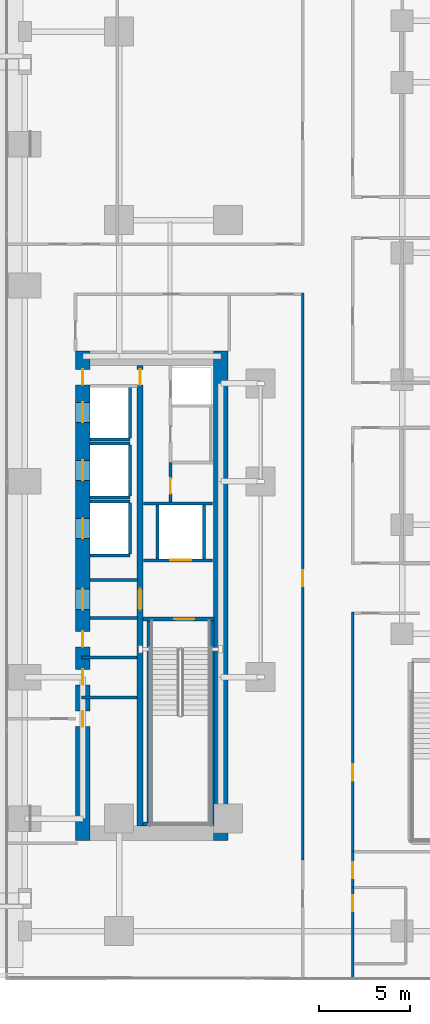
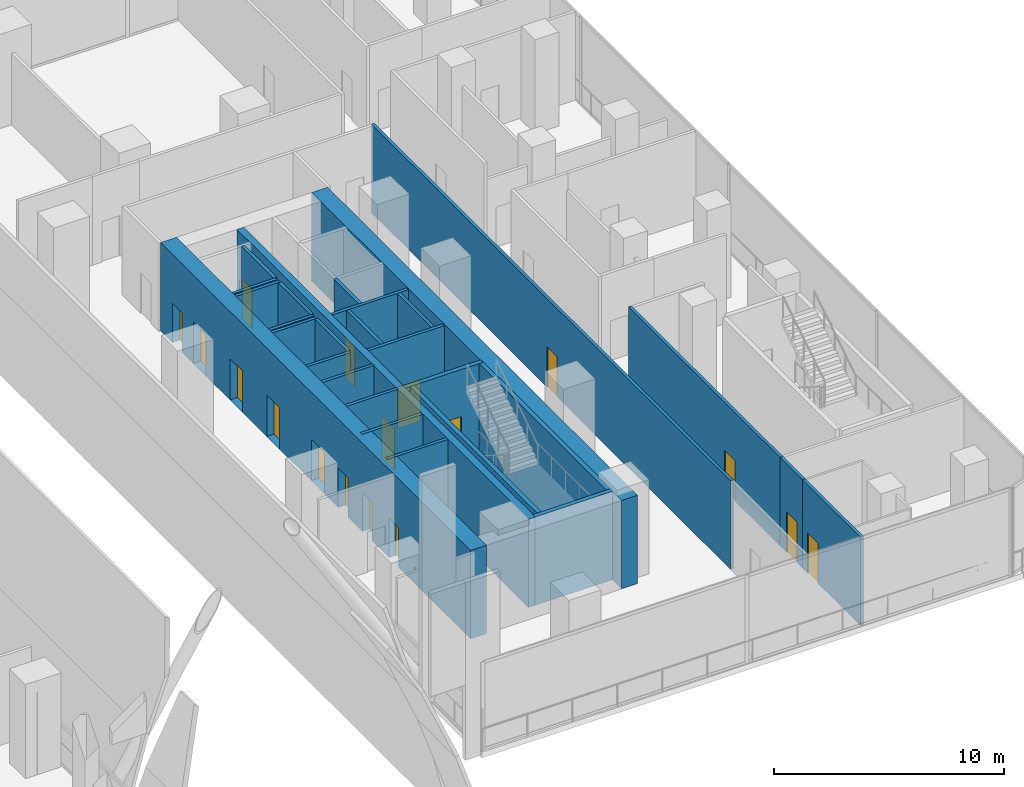
# One storey, part 8 of 31: 28 walls, 17 doors, 17 openings.
"""IFC4 building model written with IfcOpenShell, lengths in metres."""

from ifc_helpers import new_model, si_unit, direction, frame, frame_2d, origin, place, context, subcontext, project, spatial, rectangle, extrude, material, layer, layer_set, type_object, element, fill, save


model = new_model("IFC4")

# Units and contexts
model_context = context("Model", 3, precision=1e-05, world=origin(), true_north=direction((0.0, 1.0)))
body_context = subcontext(model_context, "Body", "Model", "MODEL_VIEW")
ifc_project = project(units=[si_unit("LENGTHUNIT", "METRE"), si_unit("AREAUNIT", "SQUARE_METRE"), si_unit("VOLUMEUNIT", "CUBIC_METRE"), si_unit("PLANEANGLEUNIT", "RADIAN"), si_unit("MASSUNIT", "GRAM", prefix="KILO")], contexts=[model_context])

# Site, building, storey
site_placement = place(None, origin())
site = spatial("IfcSite", under=ifc_project, at=site_placement, CompositionType="ELEMENT")
building_placement = place(site_placement, origin())
building = spatial("IfcBuilding", under=site, at=building_placement, Name="Khairoan Windgate Tower", CompositionType="ELEMENT")
storey_placement = place(building_placement, frame((0.0, 0.0, 6.0)))
storey = spatial("IfcBuildingStorey", under=building, at=storey_placement, Name="L02", CompositionType="ELEMENT", Elevation=6.0)

# Walls
ifc_material_1 = material(Name="Concrete C40/50", Category="concrete")
ifc_layer_1 = layer(ifc_material_1, 0.159912109375, Name="Concrete C40/50")
ifc_layer_set_1 = layer_set([ifc_layer_1], Name="Concrete C40/50")
wall_type_1 = type_object("IfcWallType", Name="Core and Hoistway Enclosure Wall", PredefinedType="STANDARD", material=ifc_layer_set_1)
wall_1_placement = place(storey_placement, frame((12.800048828125, 2.31005859375, 0.0), z_axis=(0.0, 0.0, 1.0), x_axis=(1.0, 0.0, 0.0)))
element("IfcWall", 1, at=wall_1_placement, inside=storey, type_object=wall_type_1, Name="L02 Lift PL7 Hoistway Divider S", PredefinedType="STANDARD", context=body_context, shape_type="SweptSolid", body=[
    extrude(rectangle(XDim=2.18994140625, YDim=0.159912109375, at=frame_2d((1.094970703125, 0.0))), origin(), (0.0, 0.0, 1.0), 4.699951171875),
])
wall_2_placement = place(storey_placement, frame((14.989990234375, 2.39990234375, 0.0), z_axis=(0.0, 0.0, 1.0), x_axis=(0.0, 1.0, 0.0)))
element("IfcWall", 2, at=wall_2_placement, inside=storey, type_object=wall_type_1, Name="L02 Lift PL7 Hoistway Back Wall", PredefinedType="STANDARD", context=body_context, shape_type="SweptSolid", body=[
    extrude(rectangle(XDim=2.800048828125, YDim=0.159912109375, at=frame_2d((1.39990234375, 0.0))), origin(), (0.0, 0.0, 1.0), 4.699951171875),
])
for number, where, z_axis, x_axis, name in (
    (3, (12.800048828125, -0.889892578125, 0.0), (0.0, 0.0, 1.0), (1.0, 0.0, 0.0), "L02 Lift PL8 Hoistway Divider S"),
    (4, (12.800048828125, 2.090087890625, 0.0), (0.0, 0.0, 1.0), (1.0, 0.0, 0.0), "L02 Lift PL8 Hoistway Divider N"),
):
    element("IfcWall", number, at=place(storey_placement, frame(where, z_axis=z_axis, x_axis=x_axis)), inside=storey, type_object=wall_type_1, Name=name, PredefinedType="STANDARD", context=body_context, shape_type="SweptSolid", body=[
        extrude(rectangle(XDim=2.18994140625, YDim=0.159912109375, at=frame_2d((1.094970703125, 0.0))), origin(), (0.0, 0.0, 1.0), 4.699951171875),
    ])
wall_3_placement = place(storey_placement, frame((14.989990234375, -0.800048828125, 0.0), z_axis=(0.0, 0.0, 1.0), x_axis=(0.0, 1.0, 0.0)))
element("IfcWall", 5, at=wall_3_placement, inside=storey, type_object=wall_type_1, Name="L02 Lift PL8 Hoistway Back Wall", PredefinedType="STANDARD", context=body_context, shape_type="SweptSolid", body=[
    extrude(rectangle(XDim=2.800048828125, YDim=0.159912109375, at=frame_2d((1.39990234375, 0.0))), origin(), (0.0, 0.0, 1.0), 4.699951171875),
])
for number, where, z_axis, x_axis, name in (
    (6, (12.800048828125, -4.090087890625, 0.0), (0.0, 0.0, 1.0), (1.0, 0.0, 0.0), "L02 Lift PL9 Hoistway Divider S"),
    (7, (12.800048828125, -1.110107421875, 0.0), (0.0, 0.0, 1.0), (1.0, 0.0, 0.0), "L02 Lift PL9 Hoistway Divider N"),
):
    element("IfcWall", number, at=place(storey_placement, frame(where, z_axis=z_axis, x_axis=x_axis)), inside=storey, type_object=wall_type_1, Name=name, PredefinedType="STANDARD", context=body_context, shape_type="SweptSolid", body=[
        extrude(rectangle(XDim=2.18994140625, YDim=0.159912109375, at=frame_2d((1.094970703125, 0.0))), origin(), (0.0, 0.0, 1.0), 4.699951171875),
    ])
wall_4_placement = place(storey_placement, frame((14.989990234375, -4.0, 0.0), z_axis=(0.0, 0.0, 1.0), x_axis=(0.0, 1.0, 0.0)))
element("IfcWall", 8, at=wall_4_placement, inside=storey, type_object=wall_type_1, Name="L02 Lift PL9 Hoistway Back Wall", PredefinedType="STANDARD", context=body_context, shape_type="SweptSolid", body=[
    extrude(rectangle(XDim=2.800048828125, YDim=0.159912109375, at=frame_2d((1.39990234375, 0.0))), origin(), (0.0, 0.0, 1.0), 4.699951171875),
])

# Wall, opening, door
wall_5_placement = place(storey_placement, frame((15.75, -4.360107421875, 0.0), z_axis=(0.0, 0.0, 1.0), x_axis=(1.0, 0.0, 0.0)))
wall_5 = element("IfcWall", 9, at=wall_5_placement, inside=storey, type_object=wall_type_1, Name="L02 Core Shaft Wall SW-FL1-L02", PredefinedType="STANDARD", context=body_context, shape_type="SweptSolid", body=[
    extrude(rectangle(XDim=3.800048828125, YDim=0.159912109375, at=frame_2d((1.89990234375, 0.0))), origin(), (0.0, 0.0, 1.0), 4.699951171875),
])
opening_1_placement = place(wall_5_placement, frame((1.469970703125, 0.0, 0.0)))
opening_1 = element("IfcOpeningElement", 10, at=opening_1_placement, cuts=wall_5, Name="Opening LD-FL", PredefinedType="OPENING", context=body_context, shape_type="SweptSolid", body=[
    extrude(rectangle(XDim=1.14990234375, YDim=2.199951171875, at=frame_2d((0.574951171875, 1.10009765625))), frame((0.0, 0.08984375, 0.0), z_axis=(0.0, -1.0, 0.0), x_axis=(1.0, 0.0, 0.0)), (0.0, 0.0, 1.0), 0.179931640625),
])
ifc_material_2 = material(Name="Steel S355", Category="steel")
door_type_1 = type_object("IfcDoorType", Name="Firefighting Lift Sliding Landing Door LD-FL 1150x2200", OperationType="DOUBLE_DOOR_SLIDING", PredefinedType="DOOR", material=ifc_material_2)
door_1_placement = place(opening_1_placement, origin())
door_1 = element("IfcDoor", 11, at=door_1_placement, inside=storey, type_object=door_type_1, Name="L02 Firefighting Lift FL1 Landing Door", OperationType="DOUBLE_DOOR_SLIDING", OverallHeight=2.199951171875, OverallWidth=1.14990234375, PredefinedType="DOOR", context=body_context, shape_type="SweptSolid", body=[
    extrude(rectangle(XDim=1.14990234375, YDim=2.199951171875, at=frame_2d((0.574951171875, 1.10009765625))), frame((0.0, 0.02490234375, 0.0), z_axis=(0.0, -1.0, 0.0), x_axis=(1.0, 0.0, 0.0)), (0.0, 0.0, 1.0), 0.050048828125),
])
fill(opening_1, door_1)

# Walls
wall_6_placement = place(storey_placement, frame((15.75, -1.219970703125, 0.0), z_axis=(0.0, 0.0, 1.0), x_axis=(1.0, 0.0, 0.0)))
element("IfcWall", 12, at=wall_6_placement, inside=storey, type_object=wall_type_1, Name="L02 Core Shaft Wall SW-FL1T-L02", PredefinedType="STANDARD", context=body_context, shape_type="SweptSolid", body=[
    extrude(rectangle(XDim=3.800048828125, YDim=0.159912109375, at=frame_2d((1.89990234375, 0.0))), origin(), (0.0, 0.0, 1.0), 4.699951171875),
])
for number, where, z_axis, x_axis, name in (
    (13, (16.52001953125, -4.280029296875, 0.0), (0.0, 0.0, 1.0), (0.0, 1.0, 0.0), "L02 Core Shaft Wall SW-FL1W-L02"),
    (14, (19.080078125, -4.280029296875, 0.0), (0.0, 0.0, 1.0), (0.0, 1.0, 0.0), "L02 Core Shaft Wall SW-FL1E-L02"),
):
    element("IfcWall", number, at=place(storey_placement, frame(where, z_axis=z_axis, x_axis=x_axis)), inside=storey, type_object=wall_type_1, Name=name, PredefinedType="STANDARD", context=body_context, shape_type="SweptSolid", body=[
        extrude(rectangle(XDim=2.97998046875, YDim=0.159912109375, at=frame_2d((1.489990234375, 0.0))), origin(), (0.0, 0.0, 1.0), 4.699951171875),
    ])
for number, where, z_axis, x_axis, name in (
    (15, (12.800048828125, -5.449951171875, 0.0), (0.0, 0.0, 1.0), (1.0, 0.0, 0.0), "L02 Core Shaft Wall SW-EV1-L02"),
    (16, (12.800048828125, -7.5400390625, 0.0), (0.0, 0.0, 1.0), (1.0, 0.0, 0.0), "L02 Core Shaft Wall SW-EV2-L02"),
):
    element("IfcWall", number, at=place(storey_placement, frame(where, z_axis=z_axis, x_axis=x_axis)), inside=storey, type_object=wall_type_1, Name=name, PredefinedType="STANDARD", context=body_context, shape_type="SweptSolid", body=[
        extrude(rectangle(XDim=2.599853515625, YDim=0.159912109375, at=frame_2d((1.2998046875, 0.0))), origin(), (0.0, 0.0, 1.0), 4.699951171875),
    ])

# Wall, opening, door
ifc_material_3 = material(Name="Concrete C40/50", Category="concrete")
ifc_layer_2 = layer(ifc_material_3, 0.159912109375, Name="Concrete C40/50")
ifc_layer_set_2 = layer_set([ifc_layer_2], Name="Concrete C40/50")
wall_type_2 = type_object("IfcWallType", Name="Plant and Refuge Compartment Wall", PredefinedType="PARTITIONING", material=ifc_layer_set_2)
wall_7_placement = place(storey_placement, frame((17.22998046875, -1.139892578125, 0.0), z_axis=(0.0, 0.0, 1.0), x_axis=(0.0, 1.0, 0.0)))
wall_7 = element("IfcWall", 17, at=wall_7_placement, inside=storey, type_object=wall_type_2, Name="L02 Interior Partition 007", PredefinedType="PARTITIONING", context=body_context, shape_type="SweptSolid", body=[
    extrude(rectangle(XDim=2.169921875, YDim=0.159912109375, at=frame_2d((1.0849609375, 0.0))), origin(), (0.0, 0.0, 1.0), 4.699951171875),
])
opening_2_placement = place(wall_7_placement, frame((0.4599609375, 0.0, 0.0)))
opening_2 = element("IfcOpeningElement", 18, at=opening_2_placement, cuts=wall_7, Name="Opening FD-SRV", PredefinedType="OPENING", context=body_context, shape_type="SweptSolid", body=[
    extrude(rectangle(XDim=0.85009765625, YDim=2.10009765625, at=frame_2d((0.425048828125, 1.050048828125))), frame((0.0, 0.08984375, 0.0), z_axis=(0.0, -1.0, 0.0), x_axis=(1.0, 0.0, 0.0)), (0.0, 0.0, 1.0), 0.179931640625),
])
ifc_material_4 = material(Name="Steel S355", Category="steel")
door_type_2 = type_object("IfcDoorType", Name="Core Service and Riser Fire Door FD-SRV 850x2100", OperationType="NOTDEFINED", PredefinedType="DOOR", material=ifc_material_4)
door_2_placement = place(opening_2_placement, origin())
door_2 = element("IfcDoor", 19, at=door_2_placement, inside=storey, type_object=door_type_2, Name="L02 L02-19-L02-21 Door", OperationType="SINGLE_SWING_RIGHT", OverallHeight=2.10009765625, OverallWidth=0.85009765625, PredefinedType="DOOR", context=body_context, shape_type="SweptSolid", body=[
    extrude(rectangle(XDim=0.85009765625, YDim=2.10009765625, at=frame_2d((0.425048828125, 1.050048828125))), frame((0.0, 0.02490234375, 0.0), z_axis=(0.0, -1.0, 0.0), x_axis=(1.0, 0.0, 0.0)), (0.0, 0.0, 1.0), 0.050048828125),
])
fill(opening_2, door_2)

# Walls
for number, where, z_axis, x_axis, name in (
    (20, (12.31005859375, -11.919921875, 0.0), (0.0, 0.0, 1.0), (1.0, 0.0, 0.0), "L02 Interior Partition 011"),
    (21, (12.31005859375, -9.719970703125, 0.0), (0.0, 0.0, 1.0), (1.0, 0.0, 0.0), "L02 Interior Partition 012"),
):
    element("IfcWall", number, at=place(storey_placement, frame(where, z_axis=z_axis, x_axis=x_axis)), inside=storey, type_object=wall_type_2, Name=name, PredefinedType="PARTITIONING", context=body_context, shape_type="SweptSolid", body=[
        extrude(rectangle(XDim=3.06494140625, YDim=0.159912109375, at=frame_2d((1.532470703125, 0.0))), origin(), (0.0, 0.0, 1.0), 4.699951171875),
    ])

# Wall, opening, door
ifc_material_5 = material(Name="Acoustic Fire-Rated Gypsum Partition", Category="gypsum")
ifc_layer_3 = layer(ifc_material_5, 0.14990234375, Name="Acoustic Fire-Rated Gypsum Partition")
ifc_layer_set_3 = layer_set([ifc_layer_3], Name="Acoustic Fire-Rated Gypsum Partition")
wall_type_3 = type_object("IfcWallType", Name="Rated Corridor Partition Wall", PredefinedType="PARTITIONING", material=ifc_layer_set_3)
wall_8_placement = place(storey_placement, frame((27.280029296875, -27.42138671875, 0.0), z_axis=(0.0, 0.0, 1.0), x_axis=(0.0, 1.0, 0.0)))
wall_8 = element("IfcWall", 22, at=wall_8_placement, inside=storey, type_object=wall_type_3, Name="L02 Interior Partition 045", PredefinedType="PARTITIONING", context=body_context, shape_type="SweptSolid", body=[
    extrude(rectangle(XDim=5.061279296875, YDim=0.14990234375, at=frame_2d((2.53076171875, 0.0))), origin(), (0.0, 0.0, 1.0), 4.699951171875),
])
opening_3_placement = place(wall_8_placement, frame((3.701416015625, 0.0, 0.0)))
opening_3 = element("IfcOpeningElement", 23, at=opening_3_placement, cuts=wall_8, Name="Opening FD-ENT", PredefinedType="OPENING", context=body_context, shape_type="SweptSolid", body=[
    extrude(rectangle(XDim=0.89990234375, YDim=2.14990234375, at=frame_2d((0.449951171875, 1.074951171875))), frame((0.0, 0.0849609375, 0.0), z_axis=(0.0, -1.0, 0.0), x_axis=(1.0, 0.0, 0.0)), (0.0, 0.0, 1.0), 0.169921875),
])
ifc_material_6 = material(Name="Timber Fire-Rated Core", Category="wood")
door_type_3 = type_object("IfcDoorType", Name="Unit and Office Fire Entrance Door FD-ENT 900x2150", OperationType="NOTDEFINED", PredefinedType="DOOR", material=ifc_material_6)
door_3_placement = place(opening_3_placement, origin())
door_3 = element("IfcDoor", 24, at=door_3_placement, inside=storey, type_object=door_type_3, Name="L02 L02-43-L02-55 Door", OperationType="SINGLE_SWING_RIGHT", OverallHeight=2.14990234375, OverallWidth=0.89990234375, PredefinedType="DOOR", context=body_context, shape_type="SweptSolid", body=[
    extrude(rectangle(XDim=0.89990234375, YDim=2.14990234375, at=frame_2d((0.449951171875, 1.074951171875))), frame((0.0, 0.02490234375, 0.0), z_axis=(0.0, -1.0, 0.0), x_axis=(1.0, 0.0, 0.0)), (0.0, 0.0, 1.0), 0.050048828125),
])
fill(opening_3, door_3)

wall_9_placement = place(storey_placement, frame((24.52001953125, -20.8798828125, 0.0), z_axis=(0.0, 0.0, 1.0), x_axis=(0.0, 1.0, 0.0)))
wall_9 = element("IfcWall", 25, at=wall_9_placement, inside=storey, type_object=wall_type_3, Name="L02 Interior Partition 046", PredefinedType="PARTITIONING", context=body_context, shape_type="SweptSolid", body=[
    extrude(rectangle(XDim=31.27490234375, YDim=0.14990234375, at=frame_2d((15.637451171875, 0.0))), origin(), (0.0, 0.0, 1.0), 4.699951171875),
])
opening_4_placement = place(wall_9_placement, frame((15.08740234375, 0.0, 0.0)))
opening_4 = element("IfcOpeningElement", 26, at=opening_4_placement, cuts=wall_9, Name="Opening FD-ENT", PredefinedType="OPENING", context=body_context, shape_type="SweptSolid", body=[
    extrude(rectangle(XDim=0.89990234375, YDim=2.14990234375, at=frame_2d((0.449951171875, 1.074951171875))), frame((0.0, 0.0849609375, 0.0), z_axis=(0.0, -1.0, 0.0), x_axis=(1.0, 0.0, 0.0)), (0.0, 0.0, 1.0), 0.169921875),
])
door_4_placement = place(opening_4_placement, origin())
door_4 = element("IfcDoor", 27, at=door_4_placement, inside=storey, type_object=door_type_3, Name="L02 L02-43-L02-63 Door", OperationType="SINGLE_SWING_LEFT", OverallHeight=2.14990234375, OverallWidth=0.89990234375, PredefinedType="DOOR", context=body_context, shape_type="SweptSolid", body=[
    extrude(rectangle(XDim=0.89990234375, YDim=2.14990234375, at=frame_2d((0.449951171875, 1.074951171875))), frame((0.0, 0.02490234375, 0.0), z_axis=(0.0, -1.0, 0.0), x_axis=(1.0, 0.0, 0.0)), (0.0, 0.0, 1.0), 0.050048828125),
])
fill(opening_4, door_4)

wall_10_placement = place(storey_placement, frame((27.280029296875, -20.419921875, 0.0), z_axis=(0.0, 0.0, 1.0), x_axis=(0.0, 1.0, 0.0)))
wall_10 = element("IfcWall", 28, at=wall_10_placement, inside=storey, type_object=wall_type_3, Name="L02 Interior Partition 047", PredefinedType="PARTITIONING", context=body_context, shape_type="SweptSolid", body=[
    extrude(rectangle(XDim=13.21484375, YDim=0.14990234375, at=frame_2d((6.607421875, 0.0))), origin(), (0.0, 0.0, 1.0), 4.699951171875),
])
opening_5_placement = place(wall_10_placement, frame((3.919189453125, 0.0, 0.0)))
opening_5 = element("IfcOpeningElement", 29, at=opening_5_placement, cuts=wall_10, Name="Opening FD-ENT", PredefinedType="OPENING", context=body_context, shape_type="SweptSolid", body=[
    extrude(rectangle(XDim=0.89990234375, YDim=2.14990234375, at=frame_2d((0.449951171875, 1.074951171875))), frame((0.0, 0.0849609375, 0.0), z_axis=(0.0, -1.0, 0.0), x_axis=(1.0, 0.0, 0.0)), (0.0, 0.0, 1.0), 0.169921875),
])
door_5_placement = place(opening_5_placement, origin())
door_5 = element("IfcDoor", 30, at=door_5_placement, inside=storey, type_object=door_type_3, Name="L02 L02-43-L02-64 Door", OperationType="SINGLE_SWING_RIGHT", OverallHeight=2.14990234375, OverallWidth=0.89990234375, PredefinedType="DOOR", context=body_context, shape_type="SweptSolid", body=[
    extrude(rectangle(XDim=0.89990234375, YDim=2.14990234375, at=frame_2d((0.449951171875, 1.074951171875))), frame((0.0, 0.02490234375, 0.0), z_axis=(0.0, -1.0, 0.0), x_axis=(1.0, 0.0, 0.0)), (0.0, 0.0, 1.0), 0.050048828125),
])
fill(opening_5, door_5)

wall_11_placement = place(storey_placement, frame((27.280029296875, -22.360107421875, 0.0), z_axis=(0.0, 0.0, 1.0), x_axis=(0.0, 1.0, 0.0)))
wall_11 = element("IfcWall", 31, at=wall_11_placement, inside=storey, type_object=wall_type_3, Name="L02 Interior Partition 049", PredefinedType="PARTITIONING", context=body_context, shape_type="SweptSolid", body=[
    extrude(rectangle(XDim=1.940185546875, YDim=0.14990234375, at=frame_2d((0.97021484375, 0.0))), origin(), (0.0, 0.0, 1.0), 4.699951171875),
])
opening_6_placement = place(wall_11_placement, frame((0.4599609375, 0.0, 0.0)))
opening_6 = element("IfcOpeningElement", 32, at=opening_6_placement, cuts=wall_11, Name="Opening FD-ENT", PredefinedType="OPENING", context=body_context, shape_type="SweptSolid", body=[
    extrude(rectangle(XDim=0.89990234375, YDim=2.14990234375, at=frame_2d((0.449951171875, 1.074951171875))), frame((0.0, 0.0849609375, 0.0), z_axis=(0.0, -1.0, 0.0), x_axis=(1.0, 0.0, 0.0)), (0.0, 0.0, 1.0), 0.169921875),
])
door_6_placement = place(opening_6_placement, origin())
door_6 = element("IfcDoor", 33, at=door_6_placement, inside=storey, type_object=door_type_3, Name="L02 L02-43-L02-68 Door", OperationType="SINGLE_SWING_RIGHT", OverallHeight=2.14990234375, OverallWidth=0.89990234375, PredefinedType="DOOR", context=body_context, shape_type="SweptSolid", body=[
    extrude(rectangle(XDim=0.89990234375, YDim=2.14990234375, at=frame_2d((0.449951171875, 1.074951171875))), frame((0.0, 0.02490234375, 0.0), z_axis=(0.0, -1.0, 0.0), x_axis=(1.0, 0.0, 0.0)), (0.0, 0.0, 1.0), 0.050048828125),
])
fill(opening_6, door_6)

# Wall, openings, doors
ifc_material_7 = material(Name="Concrete C70/85", Category="concrete")
ifc_layer_4 = layer(ifc_material_7, 0.800048828125, Name="Concrete C70/85")
ifc_layer_set_4 = layer_set([ifc_layer_4], Name="Concrete C70/85")
wall_type_4 = type_object("IfcWallType", Name="Shear Wall CW-E1 800mm", PredefinedType="SHEAR", material=ifc_layer_set_4)
wall_12_placement = place(storey_placement, frame((12.39990234375, -19.800048828125, 0.0), z_axis=(0.0, 0.0, 1.0), x_axis=(0.0, 1.0, 0.0)))
wall_12 = element("IfcWall", 34, at=wall_12_placement, inside=storey, type_object=wall_type_4, Name="E Core West Shear Wall L02", PredefinedType="SHEAR", context=body_context, shape_type="SweptSolid", body=[
    extrude(rectangle(XDim=27.0, YDim=0.800048828125, at=frame_2d((13.5, 0.0))), origin(), (0.0, 0.0, 1.0), 4.699951171875),
])
opening_7_placement = place(wall_12_placement, frame((23.050048828125, 0.0, 0.0)))
opening_7 = element("IfcOpeningElement", 35, at=opening_7_placement, cuts=wall_12, Name="Opening LD-PL", PredefinedType="OPENING", context=body_context, shape_type="SweptSolid", body=[
    extrude(rectangle(XDim=1.10009765625, YDim=2.199951171875, at=frame_2d((0.550048828125, 1.10009765625))), frame((0.0, 0.409912109375, 0.0), z_axis=(0.0, -1.0, 0.0), x_axis=(1.0, 0.0, 0.0)), (0.0, 0.0, 1.0), 0.820068359375),
])
opening_8_placement = place(wall_12_placement, frame((19.85009765625, 0.0, 0.0)))
opening_8 = element("IfcOpeningElement", 36, at=opening_8_placement, cuts=wall_12, Name="Opening LD-PL", PredefinedType="OPENING", context=body_context, shape_type="SweptSolid", body=[
    extrude(rectangle(XDim=1.10009765625, YDim=2.199951171875, at=frame_2d((0.550048828125, 1.10009765625))), frame((0.0, 0.409912109375, 0.0), z_axis=(0.0, -1.0, 0.0), x_axis=(1.0, 0.0, 0.0)), (0.0, 0.0, 1.0), 0.820068359375),
])
opening_9_placement = place(wall_12_placement, frame((16.64990234375, 0.0, 0.0)))
opening_9 = element("IfcOpeningElement", 37, at=opening_9_placement, cuts=wall_12, Name="Opening LD-PL", PredefinedType="OPENING", context=body_context, shape_type="SweptSolid", body=[
    extrude(rectangle(XDim=1.10009765625, YDim=2.199951171875, at=frame_2d((0.550048828125, 1.10009765625))), frame((0.0, 0.409912109375, 0.0), z_axis=(0.0, -1.0, 0.0), x_axis=(1.0, 0.0, 0.0)), (0.0, 0.0, 1.0), 0.820068359375),
])
opening_10_placement = place(wall_12_placement, frame((6.27490234375, 0.0, 0.0)))
opening_10 = element("IfcOpeningElement", 38, at=opening_10_placement, cuts=wall_12, Name="Opening FD-SRV", PredefinedType="OPENING", context=body_context, shape_type="SweptSolid", body=[
    extrude(rectangle(XDim=0.85009765625, YDim=2.10009765625, at=frame_2d((0.425048828125, 1.050048828125))), frame((0.0, 0.409912109375, 0.0), z_axis=(0.0, -1.0, 0.0), x_axis=(1.0, 0.0, 0.0)), (0.0, 0.0, 1.0), 0.820068359375),
])
opening_11_placement = place(wall_12_placement, frame((8.574951171875, 0.0, 0.0)))
opening_11 = element("IfcOpeningElement", 39, at=opening_11_placement, cuts=wall_12, Name="Opening FD-SRV", PredefinedType="OPENING", context=body_context, shape_type="SweptSolid", body=[
    extrude(rectangle(XDim=0.85009765625, YDim=2.10009765625, at=frame_2d((0.425048828125, 1.050048828125))), frame((0.0, 0.409912109375, 0.0), z_axis=(0.0, -1.0, 0.0), x_axis=(1.0, 0.0, 0.0)), (0.0, 0.0, 1.0), 0.820068359375),
])
opening_12_placement = place(wall_12_placement, frame((10.675048828125, 0.0, 0.0)))
opening_12 = element("IfcOpeningElement", 40, at=opening_12_placement, cuts=wall_12, Name="Opening FD-SRV", PredefinedType="OPENING", context=body_context, shape_type="SweptSolid", body=[
    extrude(rectangle(XDim=0.85009765625, YDim=2.10009765625, at=frame_2d((0.425048828125, 1.050048828125))), frame((0.0, 0.409912109375, 0.0), z_axis=(0.0, -1.0, 0.0), x_axis=(1.0, 0.0, 0.0)), (0.0, 0.0, 1.0), 0.820068359375),
])
opening_13_placement = place(wall_12_placement, frame((12.72509765625, 0.0, 0.0)))
opening_13 = element("IfcOpeningElement", 41, at=opening_13_placement, cuts=wall_12, Name="Opening FD-FFL", PredefinedType="OPENING", context=body_context, shape_type="SweptSolid", body=[
    extrude(rectangle(XDim=1.14990234375, YDim=2.199951171875, at=frame_2d((0.574951171875, 1.10009765625))), frame((0.0, 0.409912109375, 0.0), z_axis=(0.0, -1.0, 0.0), x_axis=(1.0, 0.0, 0.0)), (0.0, 0.0, 1.0), 0.820068359375),
])
opening_14_placement = place(wall_12_placement, frame((25.125, 0.0, 0.0)))
opening_14 = element("IfcOpeningElement", 42, at=opening_14_placement, cuts=wall_12, Name="Opening FD-SRV", PredefinedType="OPENING", context=body_context, shape_type="SweptSolid", body=[
    extrude(rectangle(XDim=0.85009765625, YDim=2.10009765625, at=frame_2d((0.425048828125, 1.050048828125))), frame((0.0, 0.409912109375, 0.0), z_axis=(0.0, -1.0, 0.0), x_axis=(1.0, 0.0, 0.0)), (0.0, 0.0, 1.0), 0.820068359375),
])
door_7_placement = place(opening_10_placement, origin())
door_7 = element("IfcDoor", 43, at=door_7_placement, inside=storey, type_object=door_type_2, Name="L02 East Core Service Room Door 1", OperationType="SINGLE_SWING_LEFT", OverallHeight=2.10009765625, OverallWidth=0.85009765625, PredefinedType="DOOR", context=body_context, shape_type="SweptSolid", body=[
    extrude(rectangle(XDim=0.85009765625, YDim=2.10009765625, at=frame_2d((0.425048828125, 1.050048828125))), frame((0.0, 0.02490234375, 0.0), z_axis=(0.0, -1.0, 0.0), x_axis=(1.0, 0.0, 0.0)), (0.0, 0.0, 1.0), 0.050048828125),
])
fill(opening_10, door_7)
door_8_placement = place(opening_11_placement, origin())
door_8 = element("IfcDoor", 44, at=door_8_placement, inside=storey, type_object=door_type_2, Name="L02 East Core Service Room Door 2", OperationType="SINGLE_SWING_RIGHT", OverallHeight=2.10009765625, OverallWidth=0.85009765625, PredefinedType="DOOR", context=body_context, shape_type="SweptSolid", body=[
    extrude(rectangle(XDim=0.85009765625, YDim=2.10009765625, at=frame_2d((0.425048828125, 1.050048828125))), frame((0.0, 0.02490234375, 0.0), z_axis=(0.0, -1.0, 0.0), x_axis=(1.0, 0.0, 0.0)), (0.0, 0.0, 1.0), 0.050048828125),
])
fill(opening_11, door_8)
door_9_placement = place(opening_12_placement, origin())
door_9 = element("IfcDoor", 45, at=door_9_placement, inside=storey, type_object=door_type_2, Name="L02 East Core Service Room Door 3", OperationType="SINGLE_SWING_LEFT", OverallHeight=2.10009765625, OverallWidth=0.85009765625, PredefinedType="DOOR", context=body_context, shape_type="SweptSolid", body=[
    extrude(rectangle(XDim=0.85009765625, YDim=2.10009765625, at=frame_2d((0.425048828125, 1.050048828125))), frame((0.0, 0.02490234375, 0.0), z_axis=(0.0, -1.0, 0.0), x_axis=(1.0, 0.0, 0.0)), (0.0, 0.0, 1.0), 0.050048828125),
])
fill(opening_12, door_9)
door_10_placement = place(opening_14_placement, origin())
door_10 = element("IfcDoor", 46, at=door_10_placement, inside=storey, type_object=door_type_2, Name="L02 East Core Service Vestibule Outer Door", OperationType="SINGLE_SWING_RIGHT", OverallHeight=2.10009765625, OverallWidth=0.85009765625, PredefinedType="DOOR", context=body_context, shape_type="SweptSolid", body=[
    extrude(rectangle(XDim=0.85009765625, YDim=2.10009765625, at=frame_2d((0.425048828125, 1.050048828125))), frame((0.0, 0.02490234375, 0.0), z_axis=(0.0, -1.0, 0.0), x_axis=(1.0, 0.0, 0.0)), (0.0, 0.0, 1.0), 0.050048828125),
])
fill(opening_14, door_10)
ifc_material_8 = material(Name="Steel S355", Category="steel")
door_type_4 = type_object("IfcDoorType", Name="Firefighting Lobby Fire Door FD-FFL 1150x2200", OperationType="NOTDEFINED", PredefinedType="DOOR", material=ifc_material_8)
door_11_placement = place(opening_13_placement, origin())
door_11 = element("IfcDoor", 47, at=door_11_placement, inside=storey, type_object=door_type_4, Name="L02 East Core Vestibule Entry Door", OperationType="SINGLE_SWING_RIGHT", OverallHeight=2.199951171875, OverallWidth=1.14990234375, PredefinedType="DOOR", context=body_context, shape_type="SweptSolid", body=[
    extrude(rectangle(XDim=1.14990234375, YDim=2.199951171875, at=frame_2d((0.574951171875, 1.10009765625))), frame((0.0, 0.02490234375, 0.0), z_axis=(0.0, -1.0, 0.0), x_axis=(1.0, 0.0, 0.0)), (0.0, 0.0, 1.0), 0.050048828125),
])
fill(opening_13, door_11)
ifc_material_9 = material(Name="Anodised Bronze Aluminium 6063-T6", Category="aluminium")
door_type_5 = type_object("IfcDoorType", Name="Passenger Lift Sliding Landing Door LD-PL 1100x2200", OperationType="DOUBLE_DOOR_SLIDING", PredefinedType="DOOR", material=ifc_material_9)
door_12_placement = place(opening_7_placement, origin())
door_12 = element("IfcDoor", 48, at=door_12_placement, inside=storey, type_object=door_type_5, Name="L02 Lift PL7 Sliding Landing Door", OperationType="DOUBLE_DOOR_SLIDING", OverallHeight=2.199951171875, OverallWidth=1.10009765625, PredefinedType="DOOR", context=body_context, shape_type="SweptSolid", body=[
    extrude(rectangle(XDim=1.10009765625, YDim=2.199951171875, at=frame_2d((0.550048828125, 1.10009765625))), frame((0.0, 0.02490234375, 0.0), z_axis=(0.0, -1.0, 0.0), x_axis=(1.0, 0.0, 0.0)), (0.0, 0.0, 1.0), 0.050048828125),
])
fill(opening_7, door_12)
door_13_placement = place(opening_8_placement, origin())
door_13 = element("IfcDoor", 49, at=door_13_placement, inside=storey, type_object=door_type_5, Name="L02 Lift PL8 Sliding Landing Door", OperationType="DOUBLE_DOOR_SLIDING", OverallHeight=2.199951171875, OverallWidth=1.10009765625, PredefinedType="DOOR", context=body_context, shape_type="SweptSolid", body=[
    extrude(rectangle(XDim=1.10009765625, YDim=2.199951171875, at=frame_2d((0.550048828125, 1.10009765625))), frame((0.0, 0.02490234375, 0.0), z_axis=(0.0, -1.0, 0.0), x_axis=(1.0, 0.0, 0.0)), (0.0, 0.0, 1.0), 0.050048828125),
])
fill(opening_8, door_13)
door_14_placement = place(opening_9_placement, origin())
door_14 = element("IfcDoor", 50, at=door_14_placement, inside=storey, type_object=door_type_5, Name="L02 Lift PL9 Sliding Landing Door", OperationType="DOUBLE_DOOR_SLIDING", OverallHeight=2.199951171875, OverallWidth=1.10009765625, PredefinedType="DOOR", context=body_context, shape_type="SweptSolid", body=[
    extrude(rectangle(XDim=1.10009765625, YDim=2.199951171875, at=frame_2d((0.550048828125, 1.10009765625))), frame((0.0, 0.02490234375, 0.0), z_axis=(0.0, -1.0, 0.0), x_axis=(1.0, 0.0, 0.0)), (0.0, 0.0, 1.0), 0.050048828125),
])
fill(opening_9, door_14)

# Wall
wall_13_placement = place(storey_placement, frame((20.0, -19.800048828125, 0.0), z_axis=(0.0, 0.0, 1.0), x_axis=(0.0, 1.0, 0.0)))
element("IfcWall", 51, at=wall_13_placement, inside=storey, type_object=wall_type_4, Name="E Core East Shear Wall L02", PredefinedType="SHEAR", context=body_context, shape_type="SweptSolid", body=[
    extrude(rectangle(XDim=27.0, YDim=0.800048828125, at=frame_2d((13.5, 0.0))), origin(), (0.0, 0.0, 1.0), 4.699951171875),
])

# Wall, openings, doors
ifc_material_10 = material(Name="Concrete C60/75", Category="concrete")
ifc_layer_5 = layer(ifc_material_10, 0.35009765625, Name="Concrete C60/75")
ifc_layer_set_5 = layer_set([ifc_layer_5], Name="Concrete C60/75")
wall_type_5 = type_object("IfcWallType", Name="Shear Wall SW-1 350mm", PredefinedType="SHEAR", material=ifc_layer_set_5)
wall_14_placement = place(storey_placement, frame((15.550048828125, -19.0, 0.0), z_axis=(0.0, 0.0, 1.0), x_axis=(0.0, 1.0, 0.0)))
wall_14 = element("IfcWall", 52, at=wall_14_placement, inside=storey, type_object=wall_type_5, Name="E Core Spine Shear Wall L02", PredefinedType="SHEAR", context=body_context, shape_type="SweptSolid", body=[
    extrude(rectangle(XDim=25.39990234375, YDim=0.35009765625, at=frame_2d((12.699951171875, 0.0))), origin(), (0.0, 0.0, 1.0), 4.699951171875),
])
opening_15_placement = place(wall_14_placement, frame((11.925048828125, 0.0, 0.0)))
opening_15 = element("IfcOpeningElement", 53, at=opening_15_placement, cuts=wall_14, Name="Opening FD-FFL", PredefinedType="OPENING", context=body_context, shape_type="SweptSolid", body=[
    extrude(rectangle(XDim=1.14990234375, YDim=2.199951171875, at=frame_2d((0.574951171875, 1.10009765625))), frame((0.0, 0.18505859375, 0.0), z_axis=(0.0, -1.0, 0.0), x_axis=(1.0, 0.0, 0.0)), (0.0, 0.0, 1.0), 0.3701171875),
])
opening_16_placement = place(wall_14_placement, frame((24.324951171875, 0.0, 0.0)))
opening_16 = element("IfcOpeningElement", 54, at=opening_16_placement, cuts=wall_14, Name="Opening FD-SRV", PredefinedType="OPENING", context=body_context, shape_type="SweptSolid", body=[
    extrude(rectangle(XDim=0.85009765625, YDim=2.10009765625, at=frame_2d((0.425048828125, 1.050048828125))), frame((0.0, 0.18505859375, 0.0), z_axis=(0.0, -1.0, 0.0), x_axis=(1.0, 0.0, 0.0)), (0.0, 0.0, 1.0), 0.3701171875),
])
door_15_placement = place(opening_16_placement, origin())
door_15 = element("IfcDoor", 55, at=door_15_placement, inside=storey, type_object=door_type_2, Name="L02 East Core Service Passage Inner Door", OperationType="SINGLE_SWING_LEFT", OverallHeight=2.10009765625, OverallWidth=0.85009765625, PredefinedType="DOOR", context=body_context, shape_type="SweptSolid", body=[
    extrude(rectangle(XDim=0.85009765625, YDim=2.10009765625, at=frame_2d((0.425048828125, 1.050048828125))), frame((0.0, 0.02490234375, 0.0), z_axis=(0.0, -1.0, 0.0), x_axis=(1.0, 0.0, 0.0)), (0.0, 0.0, 1.0), 0.050048828125),
])
fill(opening_16, door_15)
door_16_placement = place(opening_15_placement, origin())
door_16 = element("IfcDoor", 56, at=door_16_placement, inside=storey, type_object=door_type_4, Name="L02 East Firefighting Lobby Fire Door", OperationType="SINGLE_SWING_LEFT", OverallHeight=2.199951171875, OverallWidth=1.14990234375, PredefinedType="DOOR", context=body_context, shape_type="SweptSolid", body=[
    extrude(rectangle(XDim=1.14990234375, YDim=2.199951171875, at=frame_2d((0.574951171875, 1.10009765625))), frame((0.0, 0.02490234375, 0.0), z_axis=(0.0, -1.0, 0.0), x_axis=(1.0, 0.0, 0.0)), (0.0, 0.0, 1.0), 0.050048828125),
])
fill(opening_15, door_16)

# Walls
ifc_material_11 = material(Name="Concrete C50/60", Category="concrete")
ifc_layer_6 = layer(ifc_material_11, 0.219970703125, Name="Concrete C50/60")
ifc_layer_set_6 = layer_set([ifc_layer_6], Name="Concrete C50/60")
wall_type_6 = type_object("IfcWallType", Name="Shear Wall SW-ST 220mm", PredefinedType="SHEAR", material=ifc_layer_set_6)
for number, where, z_axis, x_axis, name in (
    (57, (16.0400390625, -18.889892578125, 0.0), (0.0, 0.0, 1.0), (0.0, 1.0, 0.0), "L02 Stair ST1 West Bearing Wall"),
    (58, (19.530029296875, -18.889892578125, 0.0), (0.0, 0.0, 1.0), (0.0, 1.0, 0.0), "L02 Stair ST1 East Bearing Wall"),
):
    element("IfcWall", number, at=place(storey_placement, frame(where, z_axis=z_axis, x_axis=x_axis)), inside=storey, type_object=wall_type_6, Name=name, PredefinedType="SHEAR", context=body_context, shape_type="SweptSolid", body=[
        extrude(rectangle(XDim=11.2998046875, YDim=0.219970703125, at=frame_2d((5.64990234375, 0.0))), origin(), (0.0, 0.0, 1.0), 4.699951171875),
    ])
wall_15_placement = place(storey_placement, frame((15.705078125, -18.889892578125, 0.0), z_axis=(0.0, 0.0, 1.0), x_axis=(1.0, 0.0, 0.0)))
element("IfcWall", 59, at=wall_15_placement, inside=storey, type_object=wall_type_6, Name="L02 Stair ST1 South Bearing Wall", PredefinedType="SHEAR", context=body_context, shape_type="SweptSolid", body=[
    extrude(rectangle(XDim=3.9150390625, YDim=0.219970703125, at=frame_2d((1.95751953125, 0.0))), origin(), (0.0, 0.0, 1.0), 4.699951171875),
])

# Wall, opening, door
wall_16_placement = place(storey_placement, frame((19.6201171875, -7.590087890625, 0.0), z_axis=(0.0, 0.0, 1.0), x_axis=(-1.0, 0.0, 0.0)))
wall_16 = element("IfcWall", 60, at=wall_16_placement, inside=storey, type_object=wall_type_6, Name="L02 Stair ST1 North Bearing Wall", PredefinedType="SHEAR", context=body_context, shape_type="SweptSolid", body=[
    extrude(rectangle(XDim=3.9150390625, YDim=0.219970703125, at=frame_2d((1.95751953125, 0.0))), origin(), (0.0, 0.0, 1.0), 4.699951171875),
])
opening_17_placement = place(wall_16_placement, frame((1.080078125, 0.0, 0.0)))
opening_17 = element("IfcOpeningElement", 61, at=opening_17_placement, cuts=wall_16, Name="Opening FD-ST", PredefinedType="OPENING", context=body_context, shape_type="SweptSolid", body=[
    extrude(rectangle(XDim=1.10009765625, YDim=2.199951171875, at=frame_2d((0.550048828125, 1.10009765625))), frame((0.0, 0.119873046875, 0.0), z_axis=(0.0, -1.0, 0.0), x_axis=(1.0, 0.0, 0.0)), (0.0, 0.0, 1.0), 0.239990234375),
])
ifc_material_12 = material(Name="Steel S355", Category="steel")
door_type_6 = type_object("IfcDoorType", Name="Smokeproof Stair Fire Door FD-ST 1100x2200", OperationType="NOTDEFINED", PredefinedType="DOOR", material=ifc_material_12)
door_17_placement = place(opening_17_placement, origin())
door_17 = element("IfcDoor", 62, at=door_17_placement, inside=storey, type_object=door_type_6, Name="L02 Stair ST1 Fire Door", OperationType="SINGLE_SWING_LEFT", OverallHeight=2.199951171875, OverallWidth=1.10009765625, PredefinedType="DOOR", context=body_context, shape_type="SweptSolid", body=[
    extrude(rectangle(XDim=1.10009765625, YDim=2.199951171875, at=frame_2d((0.550048828125, 1.10009765625))), frame((0.0, 0.02490234375, 0.0), z_axis=(0.0, -1.0, 0.0), x_axis=(1.0, 0.0, 0.0)), (0.0, 0.0, 1.0), 0.050048828125),
])
fill(opening_17, door_17)

save(model, "model.ifc")
